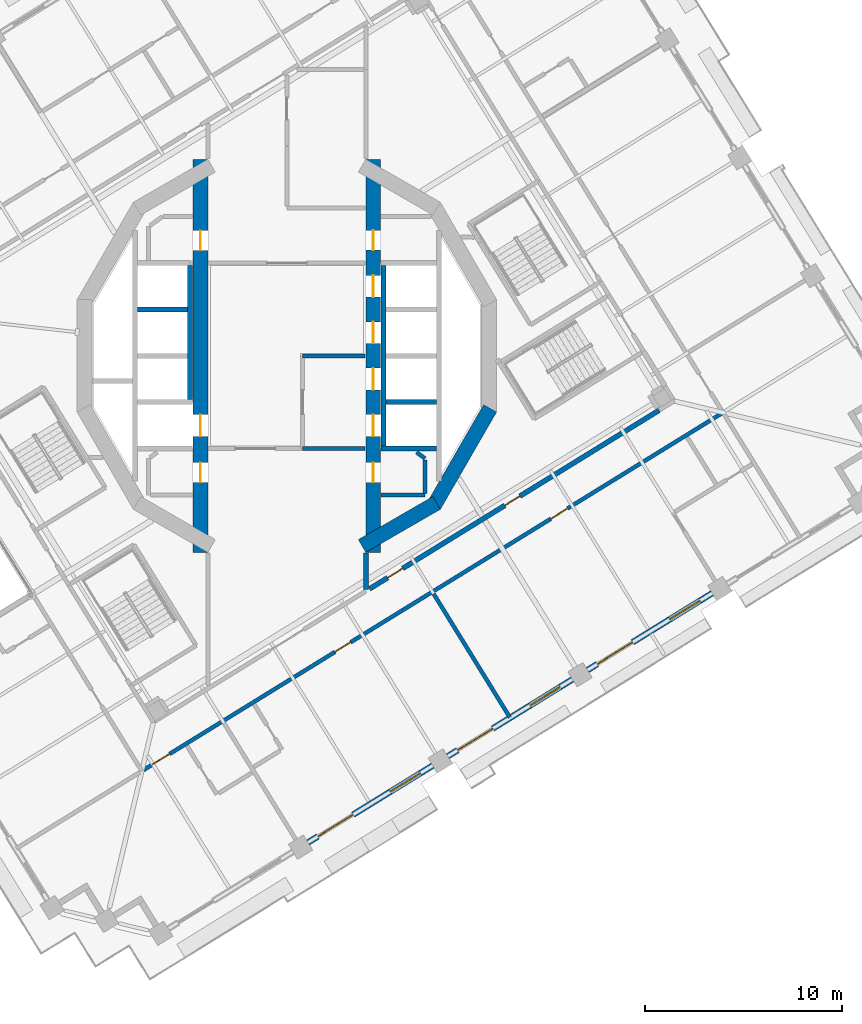
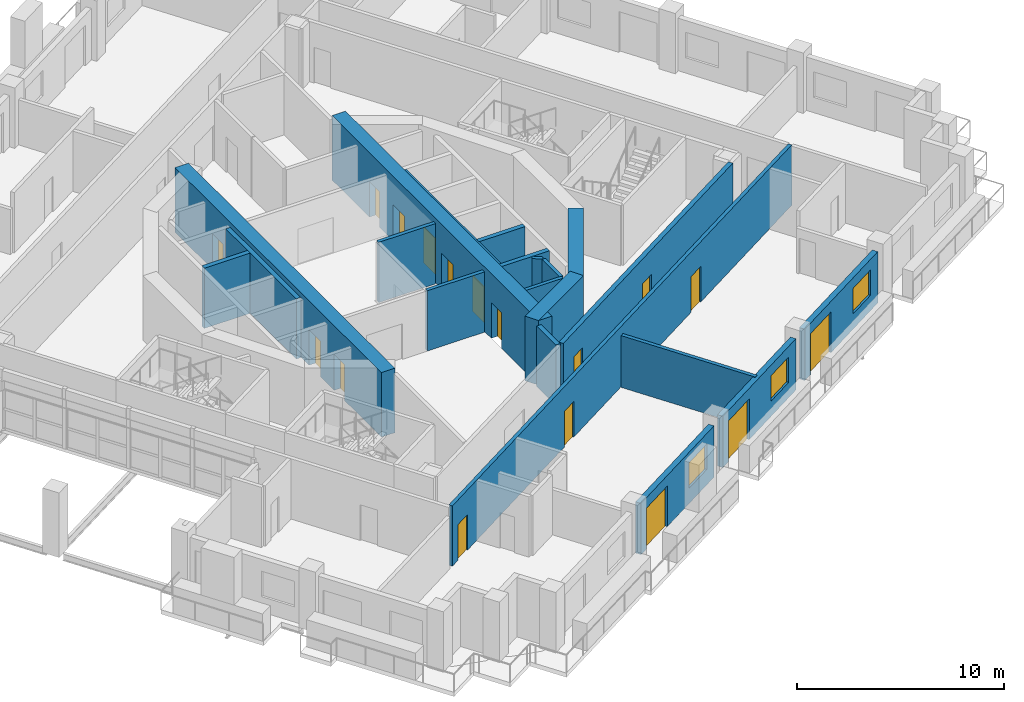
# One storey, part 7 of 20: 21 walls, 17 doors, 3 windows, 20 openings.
"""IFC4 building model written with IfcOpenShell, lengths in metres."""

from ifc_helpers import new_model, si_unit, direction, frame, frame_2d, origin, place, context, subcontext, project, spatial, rectangle, extrude, material, layer, layer_set, type_object, element, fill, save


model = new_model("IFC4")

# Units and contexts
model_context = context("Model", 3, precision=1e-05, world=origin(), true_north=direction((0.0, 1.0)))
body_context = subcontext(model_context, "Body", "Model", "MODEL_VIEW")
ifc_project = project(units=[si_unit("LENGTHUNIT", "METRE"), si_unit("AREAUNIT", "SQUARE_METRE"), si_unit("VOLUMEUNIT", "CUBIC_METRE"), si_unit("PLANEANGLEUNIT", "RADIAN"), si_unit("MASSUNIT", "GRAM", prefix="KILO")], contexts=[model_context])

# Site, building, storey
site_placement = place(None, origin())
site = spatial("IfcSite", under=ifc_project, at=site_placement, CompositionType="ELEMENT")
building_placement = place(site_placement, origin())
building = spatial("IfcBuilding", under=site, at=building_placement, Name="Cantera Rosa Tower", CompositionType="ELEMENT")
storey_placement = place(building_placement, frame((0.0, 0.0, 155.199951171875)))
storey = spatial("IfcBuildingStorey", under=building, at=storey_placement, Name="L33", CompositionType="ELEMENT", Elevation=155.199951171875)

# Wall, openings, doors
ifc_material_1 = material(Name="Gypsum board partition")
ifc_layer_1 = layer(ifc_material_1, 0.199951171875)
ifc_layer_set_1 = layer_set([ifc_layer_1], Name="CORRIDOR WALL 200 H3550")
wall_type_1 = type_object("IfcWallType", Name="CORRIDOR WALL 200 H3550", PredefinedType="PARTITIONING", material=ifc_layer_set_1)
wall_1_placement = place(storey_placement, frame((-7.26318359375, -20.98779296875, 0.0), z_axis=(0.0, 0.0, 1.0), x_axis=(0.851116274649, 0.524977225246, 0.0)))
wall_1 = element("IfcWall", 1, at=wall_1_placement, inside=storey, type_object=wall_type_1, Name="CORRIDOR WALL L33-036", PredefinedType="PARTITIONING", context=body_context, shape_type="SweptSolid", body=[
    extrude(rectangle(XDim=34.499755859375, YDim=0.199951171875, at=frame_2d((17.25, 0.0))), origin(), (0.0, 0.0, 1.0), 3.550048828125),
])
opening_1_placement = place(wall_1_placement, frame((24.25, 0.0, 0.0)))
opening_1 = element("IfcOpeningElement", 2, at=opening_1_placement, cuts=wall_1, Name="Opening L33-034", PredefinedType="OPENING", context=body_context, shape_type="SweptSolid", body=[
    extrude(rectangle(XDim=1.0, YDim=2.10009765625, at=frame_2d((0.5, 1.050048828125))), frame((0.0, 0.10986328125, 0.0), z_axis=(0.0, -1.0, 0.0), x_axis=(1.0, 0.0, 0.0)), (0.0, 0.0, 1.0), 0.219970703125),
])
opening_2_placement = place(wall_1_placement, frame((11.385009765625, 0.0, 0.0)))
opening_2 = element("IfcOpeningElement", 3, at=opening_2_placement, cuts=wall_1, Name="Opening L33-037", PredefinedType="OPENING", context=body_context, shape_type="SweptSolid", body=[
    extrude(rectangle(XDim=0.949951171875, YDim=2.10009765625, at=frame_2d((0.47509765625, 1.050048828125))), frame((0.0, 0.10986328125, 0.0), z_axis=(0.0, -1.0, 0.0), x_axis=(1.0, 0.0, 0.0)), (0.0, 0.0, 1.0), 0.219970703125),
])
opening_3_placement = place(wall_1_placement, frame((0.550048828125, 0.0, 0.0)))
opening_3 = element("IfcOpeningElement", 4, at=opening_3_placement, cuts=wall_1, Name="Opening L33-039", PredefinedType="OPENING", context=body_context, shape_type="SweptSolid", body=[
    extrude(rectangle(XDim=1.0, YDim=2.10009765625, at=frame_2d((0.5, 1.050048828125))), frame((0.0, 0.10986328125, 0.0), z_axis=(0.0, -1.0, 0.0), x_axis=(1.0, 0.0, 0.0)), (0.0, 0.0, 1.0), 0.219970703125),
])
ifc_material_2 = material(Name="Timber door leaf", Category="wood")
door_type_1 = type_object("IfcDoorType", Name="ENTRANCE DOOR 1000x2100", OperationType="NOTDEFINED", PredefinedType="DOOR", material=ifc_material_2)
door_1_placement = place(opening_1_placement, origin())
door_1 = element("IfcDoor", 5, at=door_1_placement, inside=storey, type_object=door_type_1, Name="DOOR L33-034", OperationType="NOTDEFINED", OverallHeight=2.10009765625, OverallWidth=1.0, PredefinedType="DOOR", context=body_context, shape_type="SweptSolid", body=[
    extrude(rectangle(XDim=1.0, YDim=2.10009765625, at=frame_2d((0.5, 1.050048828125))), frame((0.0, 0.02490234375, 0.0), z_axis=(0.0, -1.0, 0.0), x_axis=(1.0, 0.0, 0.0)), (0.0, 0.0, 1.0), 0.050048828125),
])
fill(opening_1, door_1)
door_2_placement = place(opening_3_placement, origin())
door_2 = element("IfcDoor", 6, at=door_2_placement, inside=storey, type_object=door_type_1, Name="DOOR L33-039", OperationType="NOTDEFINED", OverallHeight=2.10009765625, OverallWidth=1.0, PredefinedType="DOOR", context=body_context, shape_type="SweptSolid", body=[
    extrude(rectangle(XDim=1.0, YDim=2.10009765625, at=frame_2d((0.5, 1.050048828125))), frame((0.0, 0.02490234375, 0.0), z_axis=(0.0, -1.0, 0.0), x_axis=(1.0, 0.0, 0.0)), (0.0, 0.0, 1.0), 0.050048828125),
])
fill(opening_3, door_2)
ifc_material_3 = material(Name="Timber door leaf", Category="wood")
door_type_2 = type_object("IfcDoorType", Name="ROOM DOOR 950x2100", OperationType="NOTDEFINED", PredefinedType="DOOR", material=ifc_material_3)
door_3_placement = place(opening_2_placement, origin())
door_3 = element("IfcDoor", 7, at=door_3_placement, inside=storey, type_object=door_type_2, Name="DOOR L33-037", OperationType="NOTDEFINED", OverallHeight=2.10009765625, OverallWidth=0.949951171875, PredefinedType="DOOR", context=body_context, shape_type="SweptSolid", body=[
    extrude(rectangle(XDim=0.949951171875, YDim=2.10009765625, at=frame_2d((0.47509765625, 1.050048828125))), frame((0.0, 0.02490234375, 0.0), z_axis=(0.0, -1.0, 0.0), x_axis=(1.0, 0.0, 0.0)), (0.0, 0.0, 1.0), 0.050048828125),
])
fill(opening_2, door_3)

# Wall, openings, window, door
ifc_material_4 = material(Name="Hollow clay masonry with cantera stone cladding", Category="masonry")
ifc_layer_2 = layer(ifc_material_4, 0.300048828125)
ifc_layer_set_2 = layer_set([ifc_layer_2], Name="EW-LOGGIA 300 H3020")
wall_type_2 = type_object("IfcWallType", Name="EW-LOGGIA 300 H3020", PredefinedType="SOLIDWALL", material=ifc_layer_set_2)
wall_2_placement = place(storey_placement, frame((1.07421875, -24.656982421875, 0.0), z_axis=(0.0, 0.0, 1.0), x_axis=(0.85112578684, 0.524961803349, 0.0)))
wall_2 = element("IfcWall", 8, at=wall_2_placement, inside=storey, type_object=wall_type_2, Name="EN-L33-W23", PredefinedType="SOLIDWALL", context=body_context, shape_type="SweptSolid", body=[
    extrude(rectangle(XDim=7.420166015625, YDim=0.300048828125, at=frame_2d((3.7099609375, 0.0))), origin(), (0.0, 0.0, 1.0), 3.02001953125),
])
opening_4_placement = place(wall_2_placement, frame((0.580078125, 0.0, 0.0)))
opening_4 = element("IfcOpeningElement", 9, at=opening_4_placement, cuts=wall_2, Name="Opening L33-TD29", PredefinedType="OPENING", context=body_context, shape_type="SweptSolid", body=[
    extrude(rectangle(XDim=2.10009765625, YDim=2.39990234375, at=frame_2d((1.050048828125, 1.199951171875))), frame((0.0, 0.159912109375, 0.0), z_axis=(0.0, -1.0, 0.0), x_axis=(1.0, 0.0, 0.0)), (0.0, 0.0, 1.0), 0.320068359375),
])
opening_5_placement = place(wall_2_placement, frame((4.889892578125, 0.0, 0.89990234375)))
opening_5 = element("IfcOpeningElement", 10, at=opening_5_placement, cuts=wall_2, Name="Opening L33-W30", PredefinedType="OPENING", context=body_context, shape_type="SweptSolid", body=[
    extrude(rectangle(XDim=1.800048828125, YDim=1.5, at=frame_2d((0.89990234375, 0.75))), frame((0.0, 0.159912109375, 0.0), z_axis=(0.0, -1.0, 0.0), x_axis=(1.0, 0.0, 0.0)), (0.0, 0.0, 1.0), 0.320068359375),
])
ifc_material_5 = material(Name="Aluminium frame with clear glass", Category="aluminium")
window_type = type_object("IfcWindowType", Name="Hotel room window 1800x1500", PartitioningType="DOUBLE_PANEL_VERTICAL", PredefinedType="WINDOW", material=ifc_material_5)
window_1_placement = place(opening_5_placement, origin())
window_1 = element("IfcWindow", 11, at=window_1_placement, inside=storey, type_object=window_type, Name="WINDOW L33-W30", OverallHeight=1.5, OverallWidth=1.800048828125, PartitioningType="SINGLE_PANEL", PredefinedType="WINDOW", context=body_context, shape_type="SweptSolid", body=[
    extrude(rectangle(XDim=1.800048828125, YDim=1.5, at=frame_2d((0.89990234375, 0.75))), frame((0.0, 0.030029296875, 0.0), z_axis=(0.0, -1.0, 0.0), x_axis=(1.0, 0.0, 0.0)), (0.0, 0.0, 1.0), 0.06005859375),
])
fill(opening_5, window_1)
ifc_material_6 = material(Name="Aluminium frame with clear glass", Category="aluminium")
door_type_3 = type_object("IfcDoorType", Name="TD-H 2100x2400", OperationType="NOTDEFINED", PredefinedType="DOOR", material=ifc_material_6)
door_4_placement = place(opening_4_placement, origin())
door_4 = element("IfcDoor", 12, at=door_4_placement, inside=storey, type_object=door_type_3, Name="LOGGIA DOOR L33-TD29", OperationType="SLIDING_TO_LEFT", OverallHeight=2.39990234375, OverallWidth=2.10009765625, PredefinedType="DOOR", context=body_context, shape_type="SweptSolid", body=[
    extrude(rectangle(XDim=2.10009765625, YDim=2.39990234375, at=frame_2d((1.050048828125, 1.199951171875))), frame((0.0, 0.02490234375, 0.0), z_axis=(0.0, -1.0, 0.0), x_axis=(1.0, 0.0, 0.0)), (0.0, 0.0, 1.0), 0.050048828125),
])
fill(opening_4, door_4)

wall_3_placement = place(storey_placement, frame((8.155517578125, -20.289306640625, 0.0), z_axis=(0.0, 0.0, 1.0), x_axis=(0.851111085575, 0.524985637909, 0.0)))
wall_3 = element("IfcWall", 13, at=wall_3_placement, inside=storey, type_object=wall_type_2, Name="EN-L33-W24", PredefinedType="SOLIDWALL", context=body_context, shape_type="SweptSolid", body=[
    extrude(rectangle(XDim=7.420166015625, YDim=0.300048828125, at=frame_2d((3.7099609375, 0.0))), origin(), (0.0, 0.0, 1.0), 3.02001953125),
])
opening_6_placement = place(wall_3_placement, frame((0.580078125, 0.0, 0.0)))
opening_6 = element("IfcOpeningElement", 14, at=opening_6_placement, cuts=wall_3, Name="Opening L33-TD31", PredefinedType="OPENING", context=body_context, shape_type="SweptSolid", body=[
    extrude(rectangle(XDim=2.10009765625, YDim=2.39990234375, at=frame_2d((1.050048828125, 1.199951171875))), frame((0.0, 0.159912109375, 0.0), z_axis=(0.0, -1.0, 0.0), x_axis=(1.0, 0.0, 0.0)), (0.0, 0.0, 1.0), 0.320068359375),
])
opening_7_placement = place(wall_3_placement, frame((4.889892578125, 0.0, 0.89990234375)))
opening_7 = element("IfcOpeningElement", 15, at=opening_7_placement, cuts=wall_3, Name="Opening L33-W32", PredefinedType="OPENING", context=body_context, shape_type="SweptSolid", body=[
    extrude(rectangle(XDim=1.800048828125, YDim=1.5, at=frame_2d((0.89990234375, 0.75))), frame((0.0, 0.159912109375, 0.0), z_axis=(0.0, -1.0, 0.0), x_axis=(1.0, 0.0, 0.0)), (0.0, 0.0, 1.0), 0.320068359375),
])
window_2_placement = place(opening_7_placement, origin())
window_2 = element("IfcWindow", 16, at=window_2_placement, inside=storey, type_object=window_type, Name="WINDOW L33-W32", OverallHeight=1.5, OverallWidth=1.800048828125, PartitioningType="SINGLE_PANEL", PredefinedType="WINDOW", context=body_context, shape_type="SweptSolid", body=[
    extrude(rectangle(XDim=1.800048828125, YDim=1.5, at=frame_2d((0.89990234375, 0.75))), frame((0.0, 0.030029296875, 0.0), z_axis=(0.0, -1.0, 0.0), x_axis=(1.0, 0.0, 0.0)), (0.0, 0.0, 1.0), 0.06005859375),
])
fill(opening_7, window_2)
door_5_placement = place(opening_6_placement, origin())
door_5 = element("IfcDoor", 17, at=door_5_placement, inside=storey, type_object=door_type_3, Name="LOGGIA DOOR L33-TD31", OperationType="SLIDING_TO_LEFT", OverallHeight=2.39990234375, OverallWidth=2.10009765625, PredefinedType="DOOR", context=body_context, shape_type="SweptSolid", body=[
    extrude(rectangle(XDim=2.10009765625, YDim=2.39990234375, at=frame_2d((1.050048828125, 1.199951171875))), frame((0.0, 0.02490234375, 0.0), z_axis=(0.0, -1.0, 0.0), x_axis=(1.0, 0.0, 0.0)), (0.0, 0.0, 1.0), 0.050048828125),
])
fill(opening_6, door_5)

wall_4_placement = place(storey_placement, frame((15.23681640625, -15.92138671875, 0.0), z_axis=(0.0, 0.0, 1.0), x_axis=(0.85112578684, 0.524961803349, 0.0)))
wall_4 = element("IfcWall", 18, at=wall_4_placement, inside=storey, type_object=wall_type_2, Name="EN-L33-W25", PredefinedType="SOLIDWALL", context=body_context, shape_type="SweptSolid", body=[
    extrude(rectangle(XDim=7.420166015625, YDim=0.300048828125, at=frame_2d((3.7099609375, 0.0))), origin(), (0.0, 0.0, 1.0), 3.02001953125),
])
opening_8_placement = place(wall_4_placement, frame((0.580078125, 0.0, 0.0)))
opening_8 = element("IfcOpeningElement", 19, at=opening_8_placement, cuts=wall_4, Name="Opening L33-TD33", PredefinedType="OPENING", context=body_context, shape_type="SweptSolid", body=[
    extrude(rectangle(XDim=2.10009765625, YDim=2.39990234375, at=frame_2d((1.050048828125, 1.199951171875))), frame((0.0, 0.159912109375, 0.0), z_axis=(0.0, -1.0, 0.0), x_axis=(1.0, 0.0, 0.0)), (0.0, 0.0, 1.0), 0.320068359375),
])
opening_9_placement = place(wall_4_placement, frame((4.889892578125, 0.0, 0.89990234375)))
opening_9 = element("IfcOpeningElement", 20, at=opening_9_placement, cuts=wall_4, Name="Opening L33-W34", PredefinedType="OPENING", context=body_context, shape_type="SweptSolid", body=[
    extrude(rectangle(XDim=1.800048828125, YDim=1.5, at=frame_2d((0.89990234375, 0.75))), frame((0.0, 0.159912109375, 0.0), z_axis=(0.0, -1.0, 0.0), x_axis=(1.0, 0.0, 0.0)), (0.0, 0.0, 1.0), 0.320068359375),
])
window_3_placement = place(opening_9_placement, origin())
window_3 = element("IfcWindow", 21, at=window_3_placement, inside=storey, type_object=window_type, Name="WINDOW L33-W34", OverallHeight=1.5, OverallWidth=1.800048828125, PartitioningType="SINGLE_PANEL", PredefinedType="WINDOW", context=body_context, shape_type="SweptSolid", body=[
    extrude(rectangle(XDim=1.800048828125, YDim=1.5, at=frame_2d((0.89990234375, 0.75))), frame((0.0, 0.030029296875, 0.0), z_axis=(0.0, -1.0, 0.0), x_axis=(1.0, 0.0, 0.0)), (0.0, 0.0, 1.0), 0.06005859375),
])
fill(opening_9, window_3)
door_6_placement = place(opening_8_placement, origin())
door_6 = element("IfcDoor", 22, at=door_6_placement, inside=storey, type_object=door_type_3, Name="LOGGIA DOOR L33-TD33", OperationType="SLIDING_TO_LEFT", OverallHeight=2.39990234375, OverallWidth=2.10009765625, PredefinedType="DOOR", context=body_context, shape_type="SweptSolid", body=[
    extrude(rectangle(XDim=2.10009765625, YDim=2.39990234375, at=frame_2d((1.050048828125, 1.199951171875))), frame((0.0, 0.02490234375, 0.0), z_axis=(0.0, -1.0, 0.0), x_axis=(1.0, 0.0, 0.0)), (0.0, 0.0, 1.0), 0.050048828125),
])
fill(opening_8, door_6)

# Walls
ifc_material_7 = material(Name="Gypsum board partition")
ifc_layer_3 = layer(ifc_material_7, 0.199951171875)
ifc_layer_set_3 = layer_set([ifc_layer_3], Name="PARTITION 200 H3550")
wall_type_3 = type_object("IfcWallType", Name="PARTITION 200 H3550", PredefinedType="PARTITIONING", material=ifc_layer_set_3)
wall_5_placement = place(storey_placement, frame((6.572509765625, -4.888427734375, 0.0), z_axis=(0.0, 0.0, 1.0), x_axis=(0.808176867567, -0.588939853236, 0.0)))
element("IfcWall", 23, at=wall_5_placement, inside=storey, type_object=wall_type_3, Name="PARTITION L33-079", PredefinedType="PARTITIONING", context=body_context, shape_type="SweptSolid", body=[
    extrude(rectangle(XDim=0.529052734375, YDim=0.199951171875, at=frame_2d((0.2646484375, 0.0))), origin(), (0.0, 0.0, 1.0), 3.550048828125),
])
wall_6_placement = place(storey_placement, frame((7.0, -7.050048828125, 0.0), z_axis=(0.0, 0.0, 1.0), x_axis=(-1.0, 0.0, 0.0)))
element("IfcWall", 24, at=wall_6_placement, inside=storey, type_object=wall_type_3, Name="PARTITION L33-082", PredefinedType="PARTITIONING", context=body_context, shape_type="SweptSolid", body=[
    extrude(rectangle(XDim=2.219970703125, YDim=0.199951171875, at=frame_2d((1.10986328125, 0.0))), origin(), (0.0, 0.0, 1.0), 3.550048828125),
])
wall_7_placement = place(storey_placement, frame((7.0, -5.280029296875, 0.0), z_axis=(0.0, 0.0, 1.0), x_axis=(0.0, -1.0, 0.0)))
element("IfcWall", 25, at=wall_7_placement, inside=storey, type_object=wall_type_3, Name="PARTITION L33-083", PredefinedType="PARTITIONING", context=body_context, shape_type="SweptSolid", body=[
    extrude(rectangle(XDim=1.68994140625, YDim=0.199951171875, at=frame_2d((0.844970703125, 0.0))), origin(), (0.0, 0.0, 1.0), 3.550048828125),
])
ifc_material_8 = material(Name="Gypsum board partition")
ifc_layer_4 = layer(ifc_material_8, 0.199951171875)
ifc_layer_set_4 = layer_set([ifc_layer_4], Name="PARTY WALL 200 H3050")
wall_type_4 = type_object("IfcWallType", Name="PARTY WALL 200 H3050", PredefinedType="PARTITIONING", material=ifc_layer_set_4)
wall_8_placement = place(storey_placement, frame((7.43896484375, -12.060302734375, 0.0), z_axis=(0.0, 0.0, 1.0), x_axis=(0.52498856982, -0.851109277096, 0.0)))
element("IfcWall", 26, at=wall_8_placement, inside=storey, type_object=wall_type_4, Name="PARTY WALL L33-087", PredefinedType="PARTITIONING", context=body_context, shape_type="SweptSolid", body=[
    extrude(rectangle(XDim=7.349853515625, YDim=0.199951171875, at=frame_2d((3.6748046875, 0.0))), origin(), (0.0, 0.0, 1.0), 3.050048828125),
])

# Wall, openings, doors
ifc_material_9 = material(Name="Concrete C60/75", Category="concrete")
ifc_layer_5 = layer(ifc_material_9, 0.75)
ifc_layer_set_5 = layer_set([ifc_layer_5], Name="RC CORE WALL 750 C60/75")
wall_type_5 = type_object("IfcWallType", Name="RC CORE WALL 750 C60/75", PredefinedType="SHEAR", material=ifc_layer_set_5)
wall_9_placement = place(storey_placement, frame((-4.375, 9.95947265625, 0.0), z_axis=(0.0, 0.0, 1.0), x_axis=(0.0, -1.0, 0.0)))
wall_9 = element("IfcWall", 27, at=wall_9_placement, inside=storey, type_object=wall_type_5, Name="CW-W6 L33", PredefinedType="SHEAR", context=body_context, shape_type="SweptSolid", body=[
    extrude(rectangle(XDim=19.9189453125, YDim=0.75, at=frame_2d((9.95947265625, 0.0))), origin(), (0.0, 0.0, 1.0), 3.800048828125),
])
opening_10_placement = place(wall_9_placement, frame((12.9345703125, 0.0, 0.0)))
opening_10 = element("IfcOpeningElement", 28, at=opening_10_placement, cuts=wall_9, Name="Opening LD-P3-L33", PredefinedType="OPENING", context=body_context, shape_type="SweptSolid", body=[
    extrude(rectangle(XDim=1.10009765625, YDim=2.10009765625, at=frame_2d((0.550048828125, 1.050048828125))), frame((0.0, 0.385009765625, 0.0), z_axis=(0.0, -1.0, 0.0), x_axis=(1.0, 0.0, 0.0)), (0.0, 0.0, 1.0), 0.77001953125),
])
opening_11_placement = place(wall_9_placement, frame((15.368408203125, 0.0, 0.0)))
opening_11 = element("IfcOpeningElement", 29, at=opening_11_placement, cuts=wall_9, Name="Opening SD-L33-15", PredefinedType="OPENING", context=body_context, shape_type="SweptSolid", body=[
    extrude(rectangle(XDim=1.0, YDim=2.10009765625, at=frame_2d((0.5, 1.050048828125))), frame((0.0, 0.385009765625, 0.0), z_axis=(0.0, -1.0, 0.0), x_axis=(1.0, 0.0, 0.0)), (0.0, 0.0, 1.0), 0.77001953125),
])
opening_12_placement = place(wall_9_placement, frame((3.618408203125, 0.0, 0.0)))
opening_12 = element("IfcOpeningElement", 30, at=opening_12_placement, cuts=wall_9, Name="Opening SD-L33-16", PredefinedType="OPENING", context=body_context, shape_type="SweptSolid", body=[
    extrude(rectangle(XDim=1.0, YDim=2.10009765625, at=frame_2d((0.5, 1.050048828125))), frame((0.0, 0.385009765625, 0.0), z_axis=(0.0, -1.0, 0.0), x_axis=(1.0, 0.0, 0.0)), (0.0, 0.0, 1.0), 0.77001953125),
])
ifc_material_10 = material(Name="Steel S355J2 (EN 10025-2)", Category="steel")
door_type_4 = type_object("IfcDoorType", Name="LANDING DOOR 1100x2100", OperationType="NOTDEFINED", PredefinedType="DOOR", material=ifc_material_10)
door_7_placement = place(opening_10_placement, origin())
door_7 = element("IfcDoor", 31, at=door_7_placement, inside=storey, type_object=door_type_4, Name="LANDING DOOR P3 L33", OperationType="SLIDING_TO_LEFT", OverallHeight=2.10009765625, OverallWidth=1.10009765625, PredefinedType="DOOR", context=body_context, shape_type="SweptSolid", body=[
    extrude(rectangle(XDim=1.10009765625, YDim=2.10009765625, at=frame_2d((0.550048828125, 1.050048828125))), frame((0.0, 0.02490234375, 0.0), z_axis=(0.0, -1.0, 0.0), x_axis=(1.0, 0.0, 0.0)), (0.0, 0.0, 1.0), 0.050048828125),
])
fill(opening_10, door_7)
ifc_material_11 = material(Name="Timber door leaf", Category="wood")
door_type_5 = type_object("IfcDoorType", Name="SERVICE DOOR 1000x2100", OperationType="NOTDEFINED", PredefinedType="DOOR", material=ifc_material_11)
door_8_placement = place(opening_11_placement, origin())
door_8 = element("IfcDoor", 32, at=door_8_placement, inside=storey, type_object=door_type_5, Name="DOOR L33-SD15", OperationType="NOTDEFINED", OverallHeight=2.10009765625, OverallWidth=1.0, PredefinedType="DOOR", context=body_context, shape_type="SweptSolid", body=[
    extrude(rectangle(XDim=1.0, YDim=2.10009765625, at=frame_2d((0.5, 1.050048828125))), frame((0.0, 0.02490234375, 0.0), z_axis=(0.0, -1.0, 0.0), x_axis=(1.0, 0.0, 0.0)), (0.0, 0.0, 1.0), 0.050048828125),
])
fill(opening_11, door_8)
door_9_placement = place(opening_12_placement, origin())
door_9 = element("IfcDoor", 33, at=door_9_placement, inside=storey, type_object=door_type_5, Name="DOOR L33-SD16", OperationType="NOTDEFINED", OverallHeight=2.10009765625, OverallWidth=1.0, PredefinedType="DOOR", context=body_context, shape_type="SweptSolid", body=[
    extrude(rectangle(XDim=1.0, YDim=2.10009765625, at=frame_2d((0.5, 1.050048828125))), frame((0.0, 0.02490234375, 0.0), z_axis=(0.0, -1.0, 0.0), x_axis=(1.0, 0.0, 0.0)), (0.0, 0.0, 1.0), 0.050048828125),
])
fill(opening_12, door_9)

# Walls
wall_10_placement = place(storey_placement, frame((10.300537109375, -2.659423828125, 0.0), z_axis=(0.0, 0.0, 1.0), x_axis=(-0.500021842983, -0.866012792365, 0.0)))
element("IfcWall", 34, at=wall_10_placement, inside=storey, type_object=wall_type_5, Name="CW-E4 L33", PredefinedType="SHEAR", context=body_context, shape_type="SweptSolid", body=[
    extrude(rectangle(XDim=5.694091796875, YDim=0.75, at=frame_2d((2.84716796875, 0.0))), origin(), (0.0, 0.0, 1.0), 3.800048828125),
])
wall_11_placement = place(storey_placement, frame((7.590576171875, -7.453369140625, 0.0), z_axis=(0.0, 0.0, 1.0), x_axis=(-0.866013176292, -0.50002117804, 0.0)))
element("IfcWall", 35, at=wall_11_placement, inside=storey, type_object=wall_type_5, Name="CW-E5 L33", PredefinedType="SHEAR", context=body_context, shape_type="SweptSolid", body=[
    extrude(rectangle(XDim=4.362548828125, YDim=0.75, at=frame_2d((2.18115234375, 0.0))), origin(), (0.0, 0.0, 1.0), 3.800048828125),
])

# Wall, openings, doors
wall_12_placement = place(storey_placement, frame((4.375, -9.95947265625, 0.0), z_axis=(0.0, 0.0, 1.0), x_axis=(0.0, 1.0, 0.0)))
wall_12 = element("IfcWall", 36, at=wall_12_placement, inside=storey, type_object=wall_type_5, Name="CW-E6 L33", PredefinedType="SHEAR", context=body_context, shape_type="SweptSolid", body=[
    extrude(rectangle(XDim=19.9189453125, YDim=0.75, at=frame_2d((9.95947265625, 0.0))), origin(), (0.0, 0.0, 1.0), 3.800048828125),
])
opening_13_placement = place(wall_12_placement, frame((5.884521484375, 0.0, 0.0)))
opening_13 = element("IfcOpeningElement", 37, at=opening_13_placement, cuts=wall_12, Name="Opening LD-FF1-L33", PredefinedType="OPENING", context=body_context, shape_type="SweptSolid", body=[
    extrude(rectangle(XDim=1.10009765625, YDim=2.10009765625, at=frame_2d((0.550048828125, 1.050048828125))), frame((0.0, 0.385009765625, 0.0), z_axis=(0.0, -1.0, 0.0), x_axis=(1.0, 0.0, 0.0)), (0.0, 0.0, 1.0), 0.77001953125),
])
opening_14_placement = place(wall_12_placement, frame((8.234619140625, 0.0, 0.0)))
opening_14 = element("IfcOpeningElement", 38, at=opening_14_placement, cuts=wall_12, Name="Opening LD-FF2-L33", PredefinedType="OPENING", context=body_context, shape_type="SweptSolid", body=[
    extrude(rectangle(XDim=1.10009765625, YDim=2.10009765625, at=frame_2d((0.550048828125, 1.050048828125))), frame((0.0, 0.385009765625, 0.0), z_axis=(0.0, -1.0, 0.0), x_axis=(1.0, 0.0, 0.0)), (0.0, 0.0, 1.0), 0.77001953125),
])
opening_15_placement = place(wall_12_placement, frame((10.58447265625, 0.0, 0.0)))
opening_15 = element("IfcOpeningElement", 39, at=opening_15_placement, cuts=wall_12, Name="Opening LD-P1-L33", PredefinedType="OPENING", context=body_context, shape_type="SweptSolid", body=[
    extrude(rectangle(XDim=1.10009765625, YDim=2.10009765625, at=frame_2d((0.550048828125, 1.050048828125))), frame((0.0, 0.385009765625, 0.0), z_axis=(0.0, -1.0, 0.0), x_axis=(1.0, 0.0, 0.0)), (0.0, 0.0, 1.0), 0.77001953125),
])
opening_16_placement = place(wall_12_placement, frame((12.9345703125, 0.0, 0.0)))
opening_16 = element("IfcOpeningElement", 40, at=opening_16_placement, cuts=wall_12, Name="Opening LD-P2-L33", PredefinedType="OPENING", context=body_context, shape_type="SweptSolid", body=[
    extrude(rectangle(XDim=1.10009765625, YDim=2.10009765625, at=frame_2d((0.550048828125, 1.050048828125))), frame((0.0, 0.385009765625, 0.0), z_axis=(0.0, -1.0, 0.0), x_axis=(1.0, 0.0, 0.0)), (0.0, 0.0, 1.0), 0.77001953125),
])
opening_17_placement = place(wall_12_placement, frame((3.55078125, 0.0, 0.0)))
opening_17 = element("IfcOpeningElement", 41, at=opening_17_placement, cuts=wall_12, Name="Opening SD-L33-17", PredefinedType="OPENING", context=body_context, shape_type="SweptSolid", body=[
    extrude(rectangle(XDim=1.0, YDim=2.10009765625, at=frame_2d((0.5, 1.050048828125))), frame((0.0, 0.385009765625, 0.0), z_axis=(0.0, -1.0, 0.0), x_axis=(1.0, 0.0, 0.0)), (0.0, 0.0, 1.0), 0.77001953125),
])
opening_18_placement = place(wall_12_placement, frame((15.318115234375, 0.0, 0.0)))
opening_18 = element("IfcOpeningElement", 42, at=opening_18_placement, cuts=wall_12, Name="Opening SD-L33-18", PredefinedType="OPENING", context=body_context, shape_type="SweptSolid", body=[
    extrude(rectangle(XDim=1.0, YDim=2.10009765625, at=frame_2d((0.5, 1.050048828125))), frame((0.0, 0.385009765625, 0.0), z_axis=(0.0, -1.0, 0.0), x_axis=(1.0, 0.0, 0.0)), (0.0, 0.0, 1.0), 0.77001953125),
])
door_10_placement = place(opening_13_placement, origin())
door_10 = element("IfcDoor", 43, at=door_10_placement, inside=storey, type_object=door_type_4, Name="LANDING DOOR FF1 L33", OperationType="SLIDING_TO_LEFT", OverallHeight=2.10009765625, OverallWidth=1.10009765625, PredefinedType="DOOR", context=body_context, shape_type="SweptSolid", body=[
    extrude(rectangle(XDim=1.10009765625, YDim=2.10009765625, at=frame_2d((0.550048828125, 1.050048828125))), frame((0.0, 0.02490234375, 0.0), z_axis=(0.0, -1.0, 0.0), x_axis=(1.0, 0.0, 0.0)), (0.0, 0.0, 1.0), 0.050048828125),
])
fill(opening_13, door_10)
door_11_placement = place(opening_14_placement, origin())
door_11 = element("IfcDoor", 44, at=door_11_placement, inside=storey, type_object=door_type_4, Name="LANDING DOOR FF2 L33", OperationType="SLIDING_TO_LEFT", OverallHeight=2.10009765625, OverallWidth=1.10009765625, PredefinedType="DOOR", context=body_context, shape_type="SweptSolid", body=[
    extrude(rectangle(XDim=1.10009765625, YDim=2.10009765625, at=frame_2d((0.550048828125, 1.050048828125))), frame((0.0, 0.02490234375, 0.0), z_axis=(0.0, -1.0, 0.0), x_axis=(1.0, 0.0, 0.0)), (0.0, 0.0, 1.0), 0.050048828125),
])
fill(opening_14, door_11)
door_12_placement = place(opening_15_placement, origin())
door_12 = element("IfcDoor", 45, at=door_12_placement, inside=storey, type_object=door_type_4, Name="LANDING DOOR P1 L33", OperationType="SLIDING_TO_LEFT", OverallHeight=2.10009765625, OverallWidth=1.10009765625, PredefinedType="DOOR", context=body_context, shape_type="SweptSolid", body=[
    extrude(rectangle(XDim=1.10009765625, YDim=2.10009765625, at=frame_2d((0.550048828125, 1.050048828125))), frame((0.0, 0.02490234375, 0.0), z_axis=(0.0, -1.0, 0.0), x_axis=(1.0, 0.0, 0.0)), (0.0, 0.0, 1.0), 0.050048828125),
])
fill(opening_15, door_12)
door_13_placement = place(opening_16_placement, origin())
door_13 = element("IfcDoor", 46, at=door_13_placement, inside=storey, type_object=door_type_4, Name="LANDING DOOR P2 L33", OperationType="SLIDING_TO_LEFT", OverallHeight=2.10009765625, OverallWidth=1.10009765625, PredefinedType="DOOR", context=body_context, shape_type="SweptSolid", body=[
    extrude(rectangle(XDim=1.10009765625, YDim=2.10009765625, at=frame_2d((0.550048828125, 1.050048828125))), frame((0.0, 0.02490234375, 0.0), z_axis=(0.0, -1.0, 0.0), x_axis=(1.0, 0.0, 0.0)), (0.0, 0.0, 1.0), 0.050048828125),
])
fill(opening_16, door_13)
door_14_placement = place(opening_17_placement, origin())
door_14 = element("IfcDoor", 47, at=door_14_placement, inside=storey, type_object=door_type_5, Name="DOOR L33-SD17", OperationType="NOTDEFINED", OverallHeight=2.10009765625, OverallWidth=1.0, PredefinedType="DOOR", context=body_context, shape_type="SweptSolid", body=[
    extrude(rectangle(XDim=1.0, YDim=2.10009765625, at=frame_2d((0.5, 1.050048828125))), frame((0.0, 0.02490234375, 0.0), z_axis=(0.0, -1.0, 0.0), x_axis=(1.0, 0.0, 0.0)), (0.0, 0.0, 1.0), 0.050048828125),
])
fill(opening_17, door_14)
door_15_placement = place(opening_18_placement, origin())
door_15 = element("IfcDoor", 48, at=door_15_placement, inside=storey, type_object=door_type_5, Name="DOOR L33-SD18", OperationType="NOTDEFINED", OverallHeight=2.10009765625, OverallWidth=1.0, PredefinedType="DOOR", context=body_context, shape_type="SweptSolid", body=[
    extrude(rectangle(XDim=1.0, YDim=2.10009765625, at=frame_2d((0.5, 1.050048828125))), frame((0.0, 0.02490234375, 0.0), z_axis=(0.0, -1.0, 0.0), x_axis=(1.0, 0.0, 0.0)), (0.0, 0.0, 1.0), 0.050048828125),
])
fill(opening_18, door_15)

# Walls
ifc_material_12 = material(Name="Masonry blockwork", Category="masonry")
ifc_layer_6 = layer(ifc_material_12, 0.25)
ifc_layer_set_6 = layer_set([ifc_layer_6], Name="SHAFT WALL 250 H3550")
wall_type_6 = type_object("IfcWallType", Name="SHAFT WALL 250 H3550", PredefinedType="SOLIDWALL", material=ifc_layer_set_6)
wall_13_placement = place(storey_placement, frame((-7.574951171875, 2.35009765625, 0.0), z_axis=(0.0, 0.0, 1.0), x_axis=(1.0, 0.0, 0.0)))
element("IfcWall", 49, at=wall_13_placement, inside=storey, type_object=wall_type_6, Name="SHAFT WALL L33-033", PredefinedType="SOLIDWALL", context=body_context, shape_type="SweptSolid", body=[
    extrude(rectangle(XDim=2.550048828125, YDim=0.25, at=frame_2d((1.27490234375, 0.0))), origin(), (0.0, 0.0, 1.0), 3.550048828125),
])
wall_14_placement = place(storey_placement, frame((-4.89990234375, 4.580078125, 0.0), z_axis=(0.0, 0.0, 1.0), x_axis=(0.0, -1.0, 0.0)))
element("IfcWall", 50, at=wall_14_placement, inside=storey, type_object=wall_type_6, Name="SHAFT WALL L33-047", PredefinedType="SOLIDWALL", context=body_context, shape_type="SweptSolid", body=[
    extrude(rectangle(XDim=6.80517578125, YDim=0.25, at=frame_2d((3.402587890625, 0.0))), origin(), (0.0, 0.0, 1.0), 3.550048828125),
])
wall_15_placement = place(storey_placement, frame((4.0, -11.845703125, 0.0), z_axis=(0.0, 0.0, 1.0), x_axis=(0.0, 1.0, 0.0)))
element("IfcWall", 51, at=wall_15_placement, inside=storey, type_object=wall_type_6, Name="SHAFT WALL L33-068", PredefinedType="SOLIDWALL", context=body_context, shape_type="SweptSolid", body=[
    extrude(rectangle(XDim=1.8515625, YDim=0.25, at=frame_2d((0.92578125, 0.0))), origin(), (0.0, 0.0, 1.0), 3.550048828125),
])

# Wall, openings, doors
wall_16_placement = place(storey_placement, frame((4.187255859375, -11.81005859375, 0.0), z_axis=(0.0, 0.0, 1.0), x_axis=(0.851119501836, 0.524971993153, 0.0)))
wall_16 = element("IfcWall", 52, at=wall_16_placement, inside=storey, type_object=wall_type_6, Name="SHAFT WALL L33-069", PredefinedType="SOLIDWALL", context=body_context, shape_type="SweptSolid", body=[
    extrude(rectangle(XDim=17.236328125, YDim=0.25, at=frame_2d((8.6181640625, 0.0))), origin(), (0.0, 0.0, 1.0), 3.550048828125),
])
opening_19_placement = place(wall_16_placement, frame((1.07568359375, 0.0, 0.0)))
opening_19 = element("IfcOpeningElement", 53, at=opening_19_placement, cuts=wall_16, Name="Opening L33-008", PredefinedType="OPENING", context=body_context, shape_type="SweptSolid", body=[
    extrude(rectangle(XDim=0.89990234375, YDim=2.10009765625, at=frame_2d((0.449951171875, 1.050048828125))), frame((0.0, 0.135009765625, 0.0), z_axis=(0.0, -1.0, 0.0), x_axis=(1.0, 0.0, 0.0)), (0.0, 0.0, 1.0), 0.27001953125),
])
opening_20_placement = place(wall_16_placement, frame((8.05810546875, 0.0, 0.0)))
opening_20 = element("IfcOpeningElement", 54, at=opening_20_placement, cuts=wall_16, Name="Opening L33-041", PredefinedType="OPENING", context=body_context, shape_type="SweptSolid", body=[
    extrude(rectangle(XDim=0.89990234375, YDim=2.10009765625, at=frame_2d((0.449951171875, 1.050048828125))), frame((0.0, 0.135009765625, 0.0), z_axis=(0.0, -1.0, 0.0), x_axis=(1.0, 0.0, 0.0)), (0.0, 0.0, 1.0), 0.27001953125),
])
ifc_material_13 = material(Name="Timber door leaf", Category="wood")
door_type_6 = type_object("IfcDoorType", Name="SERVICE DOOR 900x2100", OperationType="NOTDEFINED", PredefinedType="DOOR", material=ifc_material_13)
door_16_placement = place(opening_19_placement, origin())
door_16 = element("IfcDoor", 55, at=door_16_placement, inside=storey, type_object=door_type_6, Name="RISER DOOR L33-008", OperationType="NOTDEFINED", OverallHeight=2.10009765625, OverallWidth=0.89990234375, PredefinedType="DOOR", context=body_context, shape_type="SweptSolid", body=[
    extrude(rectangle(XDim=0.89990234375, YDim=2.10009765625, at=frame_2d((0.449951171875, 1.050048828125))), frame((0.0, 0.02490234375, 0.0), z_axis=(0.0, -1.0, 0.0), x_axis=(1.0, 0.0, 0.0)), (0.0, 0.0, 1.0), 0.050048828125),
])
fill(opening_19, door_16)
door_17_placement = place(opening_20_placement, origin())
door_17 = element("IfcDoor", 56, at=door_17_placement, inside=storey, type_object=door_type_6, Name="RISER DOOR L33-041", OperationType="NOTDEFINED", OverallHeight=2.10009765625, OverallWidth=0.89990234375, PredefinedType="DOOR", context=body_context, shape_type="SweptSolid", body=[
    extrude(rectangle(XDim=0.89990234375, YDim=2.10009765625, at=frame_2d((0.449951171875, 1.050048828125))), frame((0.0, 0.02490234375, 0.0), z_axis=(0.0, -1.0, 0.0), x_axis=(1.0, 0.0, 0.0)), (0.0, 0.0, 1.0), 0.050048828125),
])
fill(opening_20, door_17)

# Walls
wall_17_placement = place(storey_placement, frame((4.89990234375, 4.574951171875, 0.0), z_axis=(0.0, 0.0, 1.0), x_axis=(0.0, -1.0, 0.0)))
element("IfcWall", 57, at=wall_17_placement, inside=storey, type_object=wall_type_6, Name="SHAFT WALL L33-077", PredefinedType="SOLIDWALL", context=body_context, shape_type="SweptSolid", body=[
    extrude(rectangle(XDim=9.14990234375, YDim=0.25, at=frame_2d((4.574951171875, 0.0))), origin(), (0.0, 0.0, 1.0), 3.550048828125),
])
wall_18_placement = place(storey_placement, frame((7.574951171875, -4.699951171875, 0.0), z_axis=(0.0, 0.0, 1.0), x_axis=(-1.0, 0.0, 0.0)))
element("IfcWall", 58, at=wall_18_placement, inside=storey, type_object=wall_type_6, Name="SHAFT WALL L33-089", PredefinedType="SOLIDWALL", context=body_context, shape_type="SweptSolid", body=[
    extrude(rectangle(XDim=2.794921875, YDim=0.25, at=frame_2d((1.3974609375, 0.0))), origin(), (0.0, 0.0, 1.0), 3.550048828125),
])
wall_19_placement = place(storey_placement, frame((7.574951171875, -2.35009765625, 0.0), z_axis=(0.0, 0.0, 1.0), x_axis=(-1.0, 0.0, 0.0)))
element("IfcWall", 59, at=wall_19_placement, inside=storey, type_object=wall_type_6, Name="SHAFT WALL L33-090", PredefinedType="SOLIDWALL", context=body_context, shape_type="SweptSolid", body=[
    extrude(rectangle(XDim=2.56005859375, YDim=0.25, at=frame_2d((1.280029296875, 0.0))), origin(), (0.0, 0.0, 1.0), 3.550048828125),
])
ifc_material_14 = material(Name="Concrete C50/60", Category="concrete")
ifc_layer_7 = layer(ifc_material_14, 0.199951171875)
ifc_layer_set_7 = layer_set([ifc_layer_7], Name="STAIR WALL 200 H3550")
wall_type_7 = type_object("IfcWallType", Name="STAIR WALL 200 H3550", PredefinedType="SOLIDWALL", material=ifc_layer_set_7)
for number, where, z_axis, x_axis, name in (
    (60, (0.800048828125, 0.0, 0.0), (0.0, 0.0, 1.0), (1.0, 0.0, 0.0), "STAIR WALL L33-066"),
    (61, (3.969970703125, -4.699951171875, 0.0), (0.0, 0.0, 1.0), (-1.0, 0.0, 0.0), "STAIR WALL L33-067"),
):
    element("IfcWall", number, at=place(storey_placement, frame(where, z_axis=z_axis, x_axis=x_axis)), inside=storey, type_object=wall_type_7, Name=name, PredefinedType="SOLIDWALL", context=body_context, shape_type="SweptSolid", body=[
        extrude(rectangle(XDim=3.169921875, YDim=0.199951171875, at=frame_2d((1.5849609375, 0.0))), origin(), (0.0, 0.0, 1.0), 3.550048828125),
    ])

save(model, "model.ifc")
